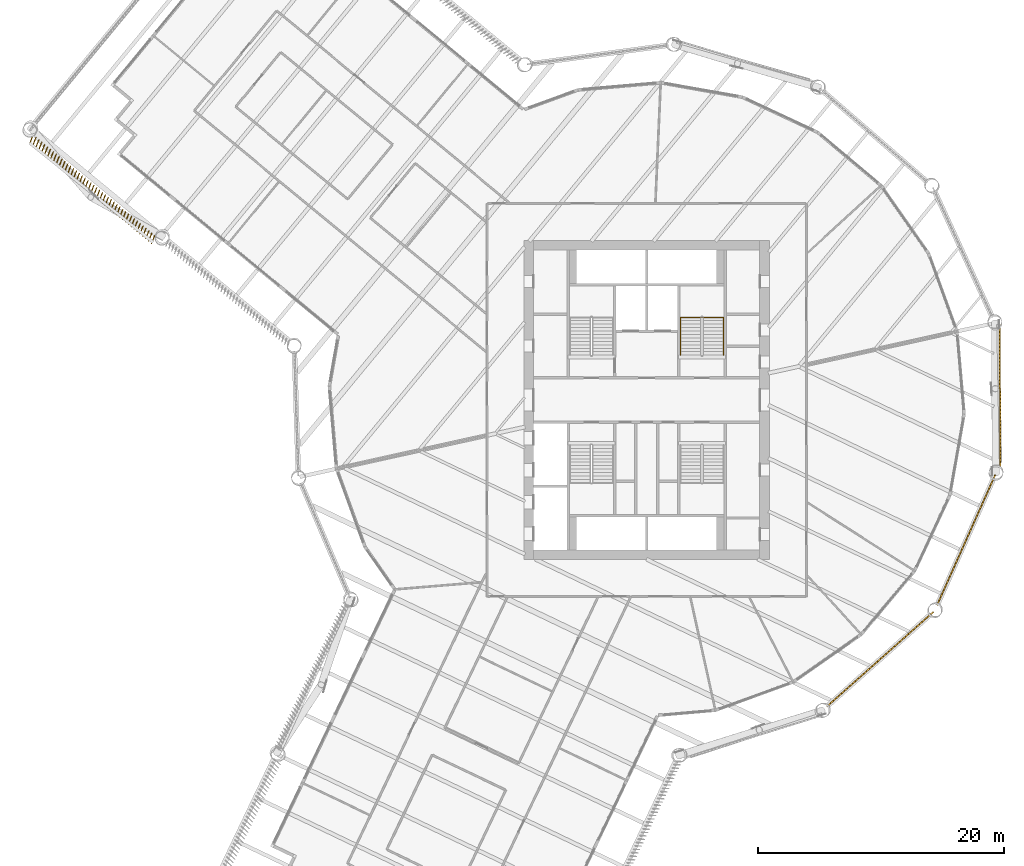
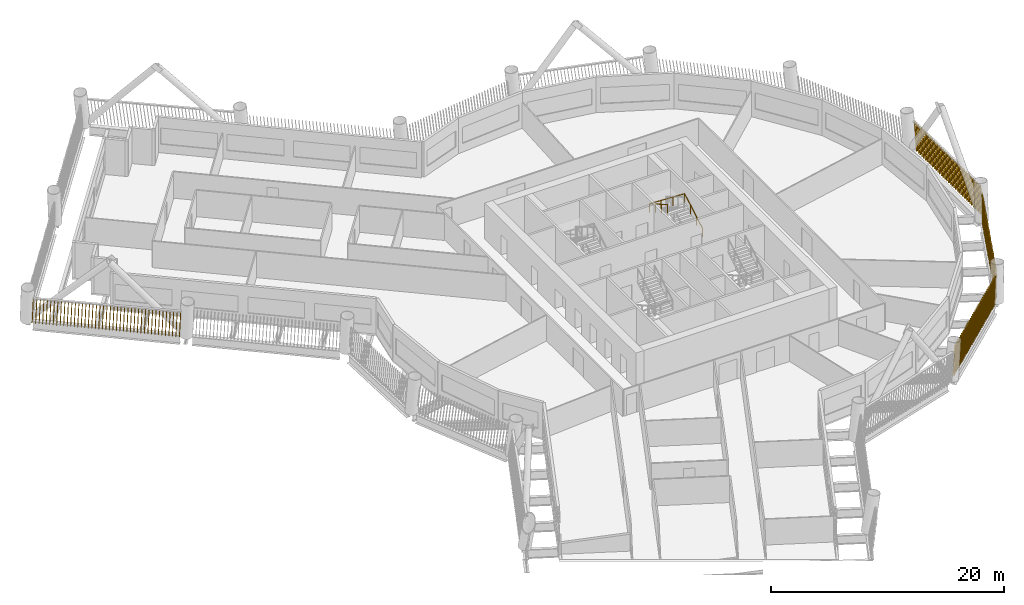
# One storey, part 19 of 22: 4 shading devices, 1 railing.
"""IFC4 building model written with IfcOpenShell, lengths in metres."""

from ifc_helpers import new_model, si_unit, direction, frame, frame_2d, origin, origin_2d, place, context, subcontext, project, spatial, rectangle, circle, composite_profile, extrude, material, type_object, element, save


model = new_model("IFC4")

# Units and contexts
model_context = context("Model", 3, precision=1e-05, world=origin(), true_north=direction((0.0, 1.0)))
body_context = subcontext(model_context, "Body", "Model", "MODEL_VIEW")
ifc_project = project(units=[si_unit("LENGTHUNIT", "METRE"), si_unit("AREAUNIT", "SQUARE_METRE"), si_unit("VOLUMEUNIT", "CUBIC_METRE"), si_unit("PLANEANGLEUNIT", "RADIAN"), si_unit("MASSUNIT", "GRAM", prefix="KILO")], contexts=[model_context])

# Site, building, storey
site_placement = place(None, origin())
site = spatial("IfcSite", under=ifc_project, at=site_placement, CompositionType="ELEMENT")
building_placement = place(site_placement, origin())
building = spatial("IfcBuilding", under=site, at=building_placement, Name="Tarsis Ring Headquarters", CompositionType="ELEMENT")
storey_placement = place(building_placement, frame((0.0, 0.0, 108.39990234375)))
storey = spatial("IfcBuildingStorey", under=building, at=storey_placement, Name="L24", CompositionType="ELEMENT", Elevation=108.39990234375)

# Railing
ifc_material_1 = material(Name="Steel S355", Category="steel")
railing_type = type_object("IfcRailingType", Name="Core stair handrail 900", PredefinedType="HANDRAIL", material=ifc_material_1)
railing_placement = place(storey_placement, frame((6.25, 3.659912109375, 0.16259765625)))
element("IfcRailing", 1, at=railing_placement, inside=storey, type_object=railing_type, Name="L24 ST2 stair handrail 1", PredefinedType="HANDRAIL", context=body_context, shape_type="SweptSolid", body=[
    extrude(circle(Radius=0.02392578125, at=origin_2d()), frame((0.0, 0.0, 0.8759765625), z_axis=(0.0, 0.864890721111, 0.501960198159), x_axis=(-1.0, 0.0, 0.0)), (0.0, 0.0, 1.0), 3.561279296875),
    extrude(circle(Radius=0.02392578125, at=origin_2d()), frame((0.0, 3.080078125, 2.66357421875), z_axis=(-0.998925869279, 0.0, 0.04633689335), x_axis=(0.0, -1.0, 0.0)), (0.0, 0.0, 1.0), 3.503662109375),
    extrude(circle(Radius=0.02392578125, at=origin_2d()), frame((-3.5, 3.080078125, 2.82568359375), z_axis=(0.0, -0.864890721111, 0.501960198159), x_axis=(1.0, 0.0, 0.0)), (0.0, 0.0, 1.0), 3.561279296875),
    extrude(circle(Radius=0.02099609375, at=origin_2d()), origin(), (0.0, 0.0, 1.0), 0.851806640625),
    extrude(circle(Radius=0.02099609375, at=origin_2d()), frame((0.0, 1.026611328125, 0.595947265625)), (0.0, 0.0, 1.0), 0.851806640625),
    extrude(circle(Radius=0.02099609375, at=origin_2d()), frame((0.0, 2.053466796875, 1.191650390625)), (0.0, 0.0, 1.0), 0.851806640625),
    extrude(circle(Radius=0.02099609375, at=origin_2d()), frame((0.0, 3.080078125, 1.78759765625)), (0.0, 0.0, 1.0), 0.851806640625),
    extrude(circle(Radius=0.02099609375, at=origin_2d()), frame((-1.166748046875, 3.080078125, 1.841796875)), (0.0, 0.0, 1.0), 0.851806640625),
    extrude(circle(Radius=0.02099609375, at=origin_2d()), frame((-2.333251953125, 3.080078125, 1.895751953125)), (0.0, 0.0, 1.0), 0.851806640625),
    extrude(circle(Radius=0.02099609375, at=origin_2d()), frame((-3.5, 3.080078125, 1.949951171875)), (0.0, 0.0, 1.0), 0.851806640625),
    extrude(circle(Radius=0.02099609375, at=origin_2d()), frame((-3.5, 2.053466796875, 2.5458984375)), (0.0, 0.0, 1.0), 0.851806640625),
    extrude(circle(Radius=0.02099609375, at=origin_2d()), frame((-3.5, 1.026611328125, 3.1416015625)), (0.0, 0.0, 1.0), 0.851806640625),
    extrude(circle(Radius=0.02099609375, at=origin_2d()), frame((-3.5, 0.0, 3.737548828125)), (0.0, 0.0, 1.0), 0.851806640625),
])

# Shading devices
ifc_material_2 = material(Name="Terracotta baguette", Category="masonry")
shading_device_type = type_object("IfcShadingDeviceType", Name="Terracotta baguette screen", PredefinedType="USERDEFINED", material=ifc_material_2)
shading_device_1_placement = place(storey_placement, frame((14.656982421875, -24.962158203125, 0.0), z_axis=(0.0, 0.0, 1.0), x_axis=(0.747536571602, 0.664235794591, 0.0)))
element("IfcShadingDevice", 2, at=shading_device_1_placement, inside=storey, type_object=shading_device_type, Name="Baguette screen L24-08", ObjectType="Terracotta baguette screen", PredefinedType="USERDEFINED", context=body_context, shape_type="SweptSolid", body=[
    extrude(composite_profile([rectangle(XDim=0.06005859375, YDim=0.1201171875, at=frame_2d((0.030029296875, 0.0))), rectangle(XDim=0.06005859375, YDim=0.1201171875, at=frame_2d((0.33251953125, 0.0))), rectangle(XDim=0.06005859375, YDim=0.1201171875, at=frame_2d((0.634765625, 0.0))), rectangle(XDim=0.06005859375, YDim=0.1201171875, at=frame_2d((0.937255859375, 0.0))), rectangle(XDim=0.06005859375, YDim=0.1201171875, at=frame_2d((1.239501953125, 0.0))), rectangle(XDim=0.06005859375, YDim=0.1201171875, at=frame_2d((1.5419921875, 0.0))), rectangle(XDim=0.06005859375, YDim=0.1201171875, at=frame_2d((1.844482421875, 0.0))), rectangle(XDim=0.06005859375, YDim=0.1201171875, at=frame_2d((2.146728515625, 0.0))), rectangle(XDim=0.06005859375, YDim=0.1201171875, at=frame_2d((2.44921875, 0.0))), rectangle(XDim=0.06005859375, YDim=0.1201171875, at=frame_2d((2.751708984375, 0.0))), rectangle(XDim=0.06005859375, YDim=0.1201171875, at=frame_2d((3.053955078125, 0.0))), rectangle(XDim=0.06005859375, YDim=0.1201171875, at=frame_2d((3.3564453125, 0.0))), rectangle(XDim=0.06005859375, YDim=0.1201171875, at=frame_2d((3.65869140625, 0.0))), rectangle(XDim=0.06005859375, YDim=0.1201171875, at=frame_2d((3.961181640625, 0.0))), rectangle(XDim=0.06005859375, YDim=0.1201171875, at=frame_2d((4.263671875, 0.0))), rectangle(XDim=0.06005859375, YDim=0.1201171875, at=frame_2d((4.56591796875, 0.0))), rectangle(XDim=0.06005859375, YDim=0.1201171875, at=frame_2d((4.868408203125, 0.0))), rectangle(XDim=0.06005859375, YDim=0.1201171875, at=frame_2d((5.1708984375, 0.0))), rectangle(XDim=0.06005859375, YDim=0.1201171875, at=frame_2d((5.47314453125, 0.0))), rectangle(XDim=0.06005859375, YDim=0.1201171875, at=frame_2d((5.775634765625, 0.0))), rectangle(XDim=0.06005859375, YDim=0.1201171875, at=frame_2d((6.077880859375, 0.0))), rectangle(XDim=0.06005859375, YDim=0.1201171875, at=frame_2d((6.38037109375, 0.0))), rectangle(XDim=0.06005859375, YDim=0.1201171875, at=frame_2d((6.682861328125, 0.0))), rectangle(XDim=0.06005859375, YDim=0.1201171875, at=frame_2d((6.985107421875, 0.0))), rectangle(XDim=0.06005859375, YDim=0.1201171875, at=frame_2d((7.28759765625, 0.0))), rectangle(XDim=0.06005859375, YDim=0.1201171875, at=frame_2d((7.590087890625, 0.0))), rectangle(XDim=0.06005859375, YDim=0.1201171875, at=frame_2d((7.892333984375, 0.0))), rectangle(XDim=0.06005859375, YDim=0.1201171875, at=frame_2d((8.19482421875, 0.0))), rectangle(XDim=0.06005859375, YDim=0.1201171875, at=frame_2d((8.4970703125, 0.0))), rectangle(XDim=0.06005859375, YDim=0.1201171875, at=frame_2d((8.799560546875, 0.0))), rectangle(XDim=0.06005859375, YDim=0.1201171875, at=frame_2d((9.10205078125, 0.0))), rectangle(XDim=0.06005859375, YDim=0.1201171875, at=frame_2d((9.404296875, 0.0))), rectangle(XDim=0.06005859375, YDim=0.1201171875, at=frame_2d((9.706787109375, 0.0))), rectangle(XDim=0.06005859375, YDim=0.1201171875, at=frame_2d((10.00927734375, 0.0))), rectangle(XDim=0.06005859375, YDim=0.1201171875, at=frame_2d((10.3115234375, 0.0))), rectangle(XDim=0.06005859375, YDim=0.1201171875, at=frame_2d((10.614013671875, 0.0))), rectangle(XDim=0.06005859375, YDim=0.1201171875, at=frame_2d((10.916259765625, 0.0))), rectangle(XDim=0.06005859375, YDim=0.1201171875, at=frame_2d((11.21875, 0.0)))]), origin(), (0.129811442092, 0.000885085811, 0.991538302904), 2.977783203125),
])
shading_device_2_placement = place(storey_placement, frame((23.64306640625, -16.70166015625, 0.0), z_axis=(0.0, 0.0, 1.0), x_axis=(0.40728361837, 0.91329542495, 0.0)))
element("IfcShadingDevice", 3, at=shading_device_2_placement, inside=storey, type_object=shading_device_type, Name="Baguette screen L24-09", ObjectType="Terracotta baguette screen", PredefinedType="USERDEFINED", context=body_context, shape_type="SweptSolid", body=[
    extrude(composite_profile([rectangle(XDim=0.06005859375, YDim=0.1201171875, at=frame_2d((0.030029296875, 0.0))), rectangle(XDim=0.06005859375, YDim=0.1201171875, at=frame_2d((0.33251953125, 0.0))), rectangle(XDim=0.06005859375, YDim=0.1201171875, at=frame_2d((0.634765625, 0.0))), rectangle(XDim=0.06005859375, YDim=0.1201171875, at=frame_2d((0.937255859375, 0.0))), rectangle(XDim=0.06005859375, YDim=0.1201171875, at=frame_2d((1.239501953125, 0.0))), rectangle(XDim=0.06005859375, YDim=0.1201171875, at=frame_2d((1.5419921875, 0.0))), rectangle(XDim=0.06005859375, YDim=0.1201171875, at=frame_2d((1.844482421875, 0.0))), rectangle(XDim=0.06005859375, YDim=0.1201171875, at=frame_2d((2.146728515625, 0.0))), rectangle(XDim=0.06005859375, YDim=0.1201171875, at=frame_2d((2.44921875, 0.0))), rectangle(XDim=0.06005859375, YDim=0.1201171875, at=frame_2d((2.751708984375, 0.0))), rectangle(XDim=0.06005859375, YDim=0.1201171875, at=frame_2d((3.053955078125, 0.0))), rectangle(XDim=0.06005859375, YDim=0.1201171875, at=frame_2d((3.3564453125, 0.0))), rectangle(XDim=0.06005859375, YDim=0.1201171875, at=frame_2d((3.65869140625, 0.0))), rectangle(XDim=0.06005859375, YDim=0.1201171875, at=frame_2d((3.961181640625, 0.0))), rectangle(XDim=0.06005859375, YDim=0.1201171875, at=frame_2d((4.263671875, 0.0))), rectangle(XDim=0.06005859375, YDim=0.1201171875, at=frame_2d((4.56591796875, 0.0))), rectangle(XDim=0.06005859375, YDim=0.1201171875, at=frame_2d((4.868408203125, 0.0))), rectangle(XDim=0.06005859375, YDim=0.1201171875, at=frame_2d((5.1708984375, 0.0))), rectangle(XDim=0.06005859375, YDim=0.1201171875, at=frame_2d((5.47314453125, 0.0))), rectangle(XDim=0.06005859375, YDim=0.1201171875, at=frame_2d((5.775634765625, 0.0))), rectangle(XDim=0.06005859375, YDim=0.1201171875, at=frame_2d((6.077880859375, 0.0))), rectangle(XDim=0.06005859375, YDim=0.1201171875, at=frame_2d((6.38037109375, 0.0))), rectangle(XDim=0.06005859375, YDim=0.1201171875, at=frame_2d((6.682861328125, 0.0))), rectangle(XDim=0.06005859375, YDim=0.1201171875, at=frame_2d((6.985107421875, 0.0))), rectangle(XDim=0.06005859375, YDim=0.1201171875, at=frame_2d((7.28759765625, 0.0))), rectangle(XDim=0.06005859375, YDim=0.1201171875, at=frame_2d((7.590087890625, 0.0))), rectangle(XDim=0.06005859375, YDim=0.1201171875, at=frame_2d((7.892333984375, 0.0))), rectangle(XDim=0.06005859375, YDim=0.1201171875, at=frame_2d((8.19482421875, 0.0))), rectangle(XDim=0.06005859375, YDim=0.1201171875, at=frame_2d((8.4970703125, 0.0))), rectangle(XDim=0.06005859375, YDim=0.1201171875, at=frame_2d((8.799560546875, 0.0))), rectangle(XDim=0.06005859375, YDim=0.1201171875, at=frame_2d((9.10205078125, 0.0))), rectangle(XDim=0.06005859375, YDim=0.1201171875, at=frame_2d((9.404296875, 0.0))), rectangle(XDim=0.06005859375, YDim=0.1201171875, at=frame_2d((9.706787109375, 0.0))), rectangle(XDim=0.06005859375, YDim=0.1201171875, at=frame_2d((10.00927734375, 0.0))), rectangle(XDim=0.06005859375, YDim=0.1201171875, at=frame_2d((10.3115234375, 0.0))), rectangle(XDim=0.06005859375, YDim=0.1201171875, at=frame_2d((10.614013671875, 0.0))), rectangle(XDim=0.06005859375, YDim=0.1201171875, at=frame_2d((10.916259765625, 0.0))), rectangle(XDim=0.06005859375, YDim=0.1201171875, at=frame_2d((11.21875, 0.0)))]), origin(), (0.129809462403, 0.000885285979, 0.991538561902), 2.977783203125),
])
shading_device_3_placement = place(storey_placement, frame((28.800537109375, -5.46923828125, 0.0), z_axis=(0.0, 0.0, 1.0), x_axis=(-0.00540423223, 0.999978296256, 0.0)))
element("IfcShadingDevice", 4, at=shading_device_3_placement, inside=storey, type_object=shading_device_type, Name="Baguette screen L24-10", ObjectType="Terracotta baguette screen", PredefinedType="USERDEFINED", context=body_context, shape_type="SweptSolid", body=[
    extrude(composite_profile([rectangle(XDim=0.06005859375, YDim=0.1201171875, at=frame_2d((0.030029296875, 0.0))), rectangle(XDim=0.06005859375, YDim=0.1201171875, at=frame_2d((0.33251953125, 0.0))), rectangle(XDim=0.06005859375, YDim=0.1201171875, at=frame_2d((0.634765625, 0.0))), rectangle(XDim=0.06005859375, YDim=0.1201171875, at=frame_2d((0.937255859375, 0.0))), rectangle(XDim=0.06005859375, YDim=0.1201171875, at=frame_2d((1.239501953125, 0.0))), rectangle(XDim=0.06005859375, YDim=0.1201171875, at=frame_2d((1.5419921875, 0.0))), rectangle(XDim=0.06005859375, YDim=0.1201171875, at=frame_2d((1.844482421875, 0.0))), rectangle(XDim=0.06005859375, YDim=0.1201171875, at=frame_2d((2.146728515625, 0.0))), rectangle(XDim=0.06005859375, YDim=0.1201171875, at=frame_2d((2.44921875, 0.0))), rectangle(XDim=0.06005859375, YDim=0.1201171875, at=frame_2d((2.751708984375, 0.0))), rectangle(XDim=0.06005859375, YDim=0.1201171875, at=frame_2d((3.053955078125, 0.0))), rectangle(XDim=0.06005859375, YDim=0.1201171875, at=frame_2d((3.3564453125, 0.0))), rectangle(XDim=0.06005859375, YDim=0.1201171875, at=frame_2d((3.65869140625, 0.0))), rectangle(XDim=0.06005859375, YDim=0.1201171875, at=frame_2d((3.961181640625, 0.0))), rectangle(XDim=0.06005859375, YDim=0.1201171875, at=frame_2d((4.263671875, 0.0))), rectangle(XDim=0.06005859375, YDim=0.1201171875, at=frame_2d((4.56591796875, 0.0))), rectangle(XDim=0.06005859375, YDim=0.1201171875, at=frame_2d((4.868408203125, 0.0))), rectangle(XDim=0.06005859375, YDim=0.1201171875, at=frame_2d((5.1708984375, 0.0))), rectangle(XDim=0.06005859375, YDim=0.1201171875, at=frame_2d((5.47314453125, 0.0))), rectangle(XDim=0.06005859375, YDim=0.1201171875, at=frame_2d((5.775634765625, 0.0))), rectangle(XDim=0.06005859375, YDim=0.1201171875, at=frame_2d((6.077880859375, 0.0))), rectangle(XDim=0.06005859375, YDim=0.1201171875, at=frame_2d((6.38037109375, 0.0))), rectangle(XDim=0.06005859375, YDim=0.1201171875, at=frame_2d((6.682861328125, 0.0))), rectangle(XDim=0.06005859375, YDim=0.1201171875, at=frame_2d((6.985107421875, 0.0))), rectangle(XDim=0.06005859375, YDim=0.1201171875, at=frame_2d((7.28759765625, 0.0))), rectangle(XDim=0.06005859375, YDim=0.1201171875, at=frame_2d((7.590087890625, 0.0))), rectangle(XDim=0.06005859375, YDim=0.1201171875, at=frame_2d((7.892333984375, 0.0))), rectangle(XDim=0.06005859375, YDim=0.1201171875, at=frame_2d((8.19482421875, 0.0))), rectangle(XDim=0.06005859375, YDim=0.1201171875, at=frame_2d((8.4970703125, 0.0))), rectangle(XDim=0.06005859375, YDim=0.1201171875, at=frame_2d((8.799560546875, 0.0))), rectangle(XDim=0.06005859375, YDim=0.1201171875, at=frame_2d((9.10205078125, 0.0))), rectangle(XDim=0.06005859375, YDim=0.1201171875, at=frame_2d((9.404296875, 0.0))), rectangle(XDim=0.06005859375, YDim=0.1201171875, at=frame_2d((9.706787109375, 0.0))), rectangle(XDim=0.06005859375, YDim=0.1201171875, at=frame_2d((10.00927734375, 0.0))), rectangle(XDim=0.06005859375, YDim=0.1201171875, at=frame_2d((10.3115234375, 0.0))), rectangle(XDim=0.06005859375, YDim=0.1201171875, at=frame_2d((10.614013671875, 0.0))), rectangle(XDim=0.06005859375, YDim=0.1201171875, at=frame_2d((10.916259765625, 0.0))), rectangle(XDim=0.06005859375, YDim=0.1201171875, at=frame_2d((11.21875, 0.0)))]), origin(), (0.131494127878, 0.000892863286, 0.99131654739), 2.978515625),
])
shading_device_4_placement = place(storey_placement, frame((-50.0009765625, 21.574951171875, 0.0), z_axis=(0.0, 0.0, 1.0), x_axis=(0.771415595966, -0.636346434045, 0.0)))
element("IfcShadingDevice", 5, at=shading_device_4_placement, inside=storey, type_object=shading_device_type, Name="Baguette screen L24-19", ObjectType="Terracotta baguette screen", PredefinedType="USERDEFINED", context=body_context, shape_type="SweptSolid", body=[
    extrude(composite_profile([rectangle(XDim=0.06005859375, YDim=0.1201171875, at=frame_2d((0.030029296875, 0.0))), rectangle(XDim=0.06005859375, YDim=0.1201171875, at=frame_2d((0.335693359375, 0.0))), rectangle(XDim=0.06005859375, YDim=0.1201171875, at=frame_2d((0.6416015625, 0.0))), rectangle(XDim=0.06005859375, YDim=0.1201171875, at=frame_2d((0.947265625, 0.0))), rectangle(XDim=0.06005859375, YDim=0.1201171875, at=frame_2d((1.253173828125, 0.0))), rectangle(XDim=0.06005859375, YDim=0.1201171875, at=frame_2d((1.558837890625, 0.0))), rectangle(XDim=0.06005859375, YDim=0.1201171875, at=frame_2d((1.864501953125, 0.0))), rectangle(XDim=0.06005859375, YDim=0.1201171875, at=frame_2d((2.17041015625, 0.0))), rectangle(XDim=0.06005859375, YDim=0.1201171875, at=frame_2d((2.47607421875, 0.0))), rectangle(XDim=0.06005859375, YDim=0.1201171875, at=frame_2d((2.781982421875, 0.0))), rectangle(XDim=0.06005859375, YDim=0.1201171875, at=frame_2d((3.087646484375, 0.0))), rectangle(XDim=0.06005859375, YDim=0.1201171875, at=frame_2d((3.393310546875, 0.0))), rectangle(XDim=0.06005859375, YDim=0.1201171875, at=frame_2d((3.69921875, 0.0))), rectangle(XDim=0.06005859375, YDim=0.1201171875, at=frame_2d((4.0048828125, 0.0))), rectangle(XDim=0.06005859375, YDim=0.1201171875, at=frame_2d((4.310791015625, 0.0))), rectangle(XDim=0.06005859375, YDim=0.1201171875, at=frame_2d((4.616455078125, 0.0))), rectangle(XDim=0.06005859375, YDim=0.1201171875, at=frame_2d((4.922119140625, 0.0))), rectangle(XDim=0.06005859375, YDim=0.1201171875, at=frame_2d((5.22802734375, 0.0))), rectangle(XDim=0.06005859375, YDim=0.1201171875, at=frame_2d((5.53369140625, 0.0))), rectangle(XDim=0.06005859375, YDim=0.1201171875, at=frame_2d((5.839599609375, 0.0))), rectangle(XDim=0.06005859375, YDim=0.1201171875, at=frame_2d((6.145263671875, 0.0))), rectangle(XDim=0.06005859375, YDim=0.1201171875, at=frame_2d((6.451171875, 0.0))), rectangle(XDim=0.06005859375, YDim=0.1201171875, at=frame_2d((6.7568359375, 0.0))), rectangle(XDim=0.06005859375, YDim=0.1201171875, at=frame_2d((7.0625, 0.0))), rectangle(XDim=0.06005859375, YDim=0.1201171875, at=frame_2d((7.368408203125, 0.0))), rectangle(XDim=0.06005859375, YDim=0.1201171875, at=frame_2d((7.674072265625, 0.0))), rectangle(XDim=0.06005859375, YDim=0.1201171875, at=frame_2d((7.97998046875, 0.0))), rectangle(XDim=0.06005859375, YDim=0.1201171875, at=frame_2d((8.28564453125, 0.0))), rectangle(XDim=0.06005859375, YDim=0.1201171875, at=frame_2d((8.59130859375, 0.0))), rectangle(XDim=0.06005859375, YDim=0.1201171875, at=frame_2d((8.897216796875, 0.0))), rectangle(XDim=0.06005859375, YDim=0.1201171875, at=frame_2d((9.202880859375, 0.0))), rectangle(XDim=0.06005859375, YDim=0.1201171875, at=frame_2d((9.5087890625, 0.0))), rectangle(XDim=0.06005859375, YDim=0.1201171875, at=frame_2d((9.814453125, 0.0))), rectangle(XDim=0.06005859375, YDim=0.1201171875, at=frame_2d((10.1201171875, 0.0))), rectangle(XDim=0.06005859375, YDim=0.1201171875, at=frame_2d((10.426025390625, 0.0))), rectangle(XDim=0.06005859375, YDim=0.1201171875, at=frame_2d((10.731689453125, 0.0))), rectangle(XDim=0.06005859375, YDim=0.1201171875, at=frame_2d((11.03759765625, 0.0))), rectangle(XDim=0.06005859375, YDim=0.1201171875, at=frame_2d((11.34326171875, 0.0))), rectangle(XDim=0.06005859375, YDim=0.1201171875, at=frame_2d((11.64892578125, 0.0))), rectangle(XDim=0.06005859375, YDim=0.1201171875, at=frame_2d((11.954833984375, 0.0))), rectangle(XDim=0.06005859375, YDim=0.1201171875, at=frame_2d((12.260498046875, 0.0))), rectangle(XDim=0.06005859375, YDim=0.1201171875, at=frame_2d((12.56640625, 0.0))), rectangle(XDim=0.06005859375, YDim=0.1201171875, at=frame_2d((12.8720703125, 0.0)))]), origin(), (0.069695257291, -0.205870671846, 0.976094174547), 3.02490234375),
])

save(model, "model.ifc")
